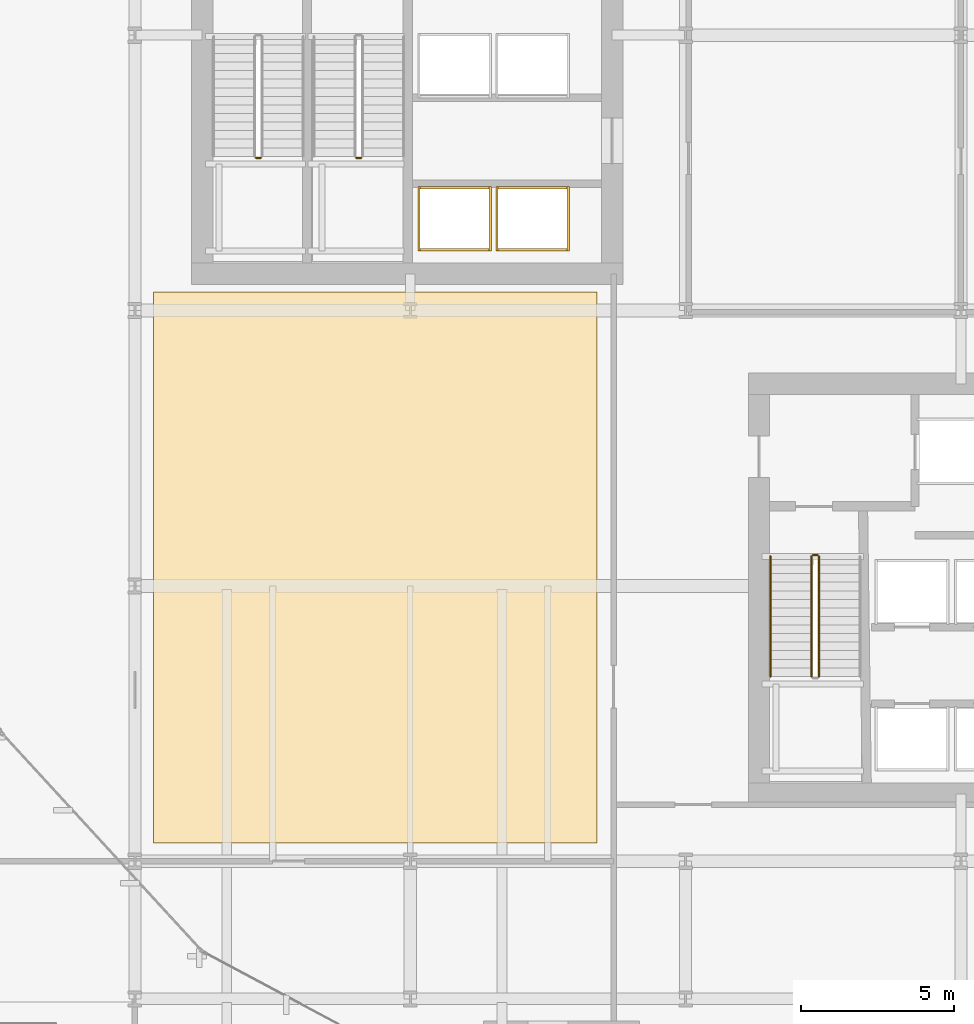
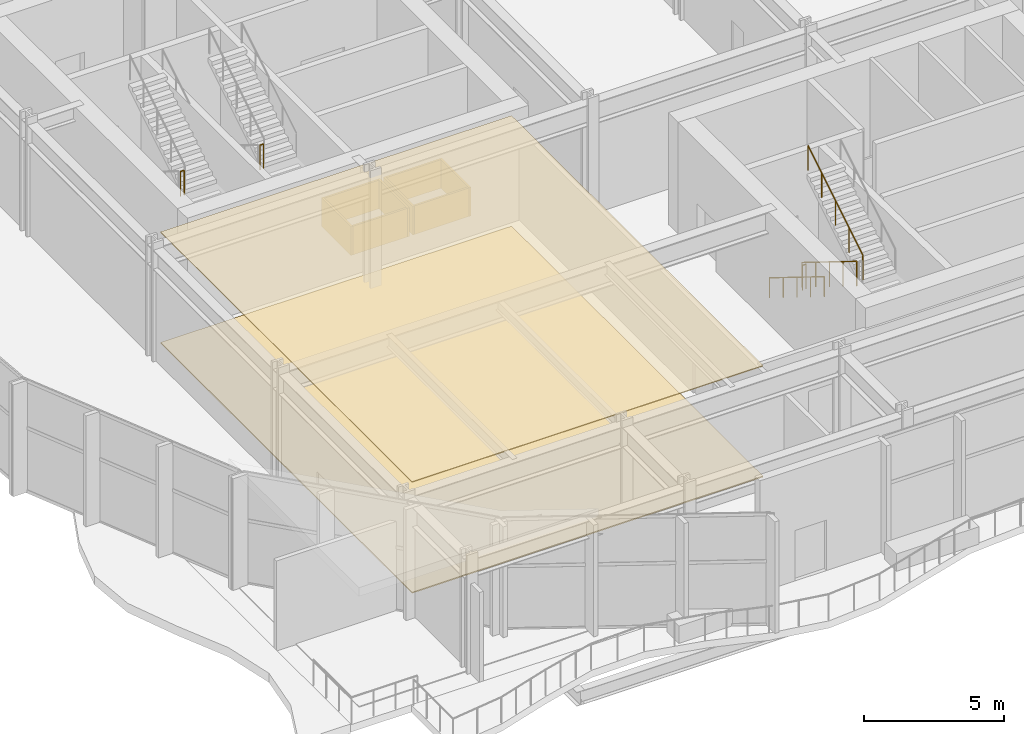
# One storey, part 27 of 31: 10 coverings, 6 railings.
"""IFC4 building model written with IfcOpenShell, lengths in metres."""

from ifc_helpers import new_model, si_unit, direction, frame, origin, origin_2d, place, context, subcontext, project, spatial, polyline, rectangle, circle, outline, extrude, material, layer, layer_set, type_object, element, save


model = new_model("IFC4")

# Units and contexts
model_context = context("Model", 3, precision=1e-05, world=origin(), true_north=direction((0.0, 1.0)))
body_context = subcontext(model_context, "Body", "Model", "MODEL_VIEW")
ifc_project = project(units=[si_unit("LENGTHUNIT", "METRE"), si_unit("AREAUNIT", "SQUARE_METRE"), si_unit("VOLUMEUNIT", "CUBIC_METRE"), si_unit("PLANEANGLEUNIT", "RADIAN"), si_unit("MASSUNIT", "GRAM", prefix="KILO")], contexts=[model_context])

# Site, building, storey
site_placement = place(None, origin())
site = spatial("IfcSite", under=ifc_project, at=site_placement, CompositionType="ELEMENT")
building_placement = place(site_placement, origin())
building = spatial("IfcBuilding", under=site, at=building_placement, Name="Solvaryn Broadcast Tower", CompositionType="ELEMENT")
storey_placement = place(building_placement, frame((0.0, 0.0, 11.0)))
storey = spatial("IfcBuildingStorey", under=building, at=storey_placement, Name="L02", CompositionType="ELEMENT", Elevation=11.0)

# Coverings
ifc_material_1 = material(Name="Studio Acoustic Mineral-Wool Baffle Ceiling", Category="concrete")
ifc_layer_1 = layer(ifc_material_1, 0.06005859375)
ifc_layer_set_1 = layer_set([ifc_layer_1], Name="CV-CEIL-BAFFLE")
covering_type_1 = type_object("IfcCoveringType", Name="CV-CEIL-BAFFLE", PredefinedType="CEILING", material=ifc_layer_set_1)
covering_1_placement = place(storey_placement, frame((0.0, 0.0, 4.840087890625)))
element("IfcCovering", 1, at=covering_1_placement, inside=storey, type_object=covering_type_1, Name="L02 Room Acoustic Ceiling 1", PredefinedType="CEILING", context=body_context, shape_type="SweptSolid", body=[
    extrude(outline(polyline([(9.60009765625, 9.60009765625), (24.10009765625, 9.60009765625), (24.10009765625, 27.60009765625), (9.60009765625, 27.60009765625), (9.60009765625, 9.60009765625)])), origin(), (0.0, 0.0, 1.0), 0.039794921875),
])
ifc_material_2 = material(Name="Isolated Broadcast Studio Floating Acoustic Floor", Category="concrete")
ifc_layer_2 = layer(ifc_material_2, 0.080078125)
ifc_layer_set_2 = layer_set([ifc_layer_2], Name="CV-FLOOR-STUDIO")
covering_type_2 = type_object("IfcCoveringType", Name="CV-FLOOR-STUDIO", PredefinedType="FLOORING", material=ifc_layer_set_2)
covering_2_placement = place(storey_placement, origin())
element("IfcCovering", 2, at=covering_2_placement, inside=storey, type_object=covering_type_2, Name="L02 Room Acoustic Floor Finish 1", PredefinedType="FLOORING", context=body_context, shape_type="SweptSolid", body=[
    extrude(outline(polyline([(9.60009765625, 9.60009765625), (24.10009765625, 9.60009765625), (24.10009765625, 27.60009765625), (9.60009765625, 27.60009765625), (9.60009765625, 9.60009765625)])), origin(), (0.0, 0.0, 1.0), 0.050048828125),
])
ifc_material_3 = material(Name="Fire-Rated Gypsum Shaftwall Liner", Category="concrete")
ifc_layer_3 = layer(ifc_material_3, 0.080078125)
ifc_layer_set_3 = layer_set([ifc_layer_3], Name="CV-SHAFT-LINER")
covering_type_3 = type_object("IfcCoveringType", Name="CV-SHAFT-LINER", PredefinedType="CLADDING", material=ifc_layer_set_3)
for number, where, z_axis, x_axis, name in (
    (3, (19.449951171875, 31.014892578125, 0.0), (0.0, 0.0, 1.0), (1.0, 0.0, 0.0), "L02 PH1 Hoistway Shaft Liner North"),
    (4, (19.449951171875, 28.985107421875, 0.0), (0.0, 0.0, 1.0), (1.0, 0.0, 0.0), "L02 PH1 Hoistway Shaft Liner South"),
):
    element("IfcCovering", number, at=place(storey_placement, frame(where, z_axis=z_axis, x_axis=x_axis)), inside=storey, type_object=covering_type_3, Name=name, PredefinedType="CLADDING", context=body_context, shape_type="SweptSolid", body=[
        extrude(rectangle(XDim=2.409912109375, YDim=0.080078125, at=origin_2d()), origin(), (0.0, 0.0, 1.0), 1.25),
    ])
for number, where, z_axis, x_axis, name in (
    (5, (20.614990234375, 30.0, 0.0), (0.0, 0.0, 1.0), (1.0, 0.0, 0.0), "L02 PH1 Hoistway Shaft Liner East"),
    (6, (18.284912109375, 30.0, 0.0), (0.0, 0.0, 1.0), (1.0, 0.0, 0.0), "L02 PH1 Hoistway Shaft Liner West"),
):
    element("IfcCovering", number, at=place(storey_placement, frame(where, z_axis=z_axis, x_axis=x_axis)), inside=storey, type_object=covering_type_3, Name=name, PredefinedType="CLADDING", context=body_context, shape_type="SweptSolid", body=[
        extrude(rectangle(XDim=0.080078125, YDim=2.110107421875, at=origin_2d()), origin(), (0.0, 0.0, 1.0), 1.25),
    ])
for number, where, z_axis, x_axis, name in (
    (7, (22.0, 31.014892578125, 0.0), (0.0, 0.0, 1.0), (1.0, 0.0, 0.0), "L02 PH2 Hoistway Shaft Liner North"),
    (8, (22.0, 28.985107421875, 0.0), (0.0, 0.0, 1.0), (1.0, 0.0, 0.0), "L02 PH2 Hoistway Shaft Liner South"),
):
    element("IfcCovering", number, at=place(storey_placement, frame(where, z_axis=z_axis, x_axis=x_axis)), inside=storey, type_object=covering_type_3, Name=name, PredefinedType="CLADDING", context=body_context, shape_type="SweptSolid", body=[
        extrude(rectangle(XDim=2.409912109375, YDim=0.080078125, at=origin_2d()), origin(), (0.0, 0.0, 1.0), 1.25),
    ])
for number, where, z_axis, x_axis, name in (
    (9, (23.1650390625, 30.0, 0.0), (0.0, 0.0, 1.0), (1.0, 0.0, 0.0), "L02 PH2 Hoistway Shaft Liner East"),
    (10, (20.8349609375, 30.0, 0.0), (0.0, 0.0, 1.0), (1.0, 0.0, 0.0), "L02 PH2 Hoistway Shaft Liner West"),
):
    element("IfcCovering", number, at=place(storey_placement, frame(where, z_axis=z_axis, x_axis=x_axis)), inside=storey, type_object=covering_type_3, Name=name, PredefinedType="CLADDING", context=body_context, shape_type="SweptSolid", body=[
        extrude(rectangle(XDim=0.080078125, YDim=2.110107421875, at=origin_2d()), origin(), (0.0, 0.0, 1.0), 1.25),
    ])

# Railings
ifc_material_4 = material(Name="Painted Steel Stair Well Guard", Category="steel")
railing_type_1 = type_object("IfcRailingType", Name="RL-STAIR-GUARD", PredefinedType="BALUSTRADE", material=ifc_material_4)
railing_1_placement = place(storey_placement, frame((12.9599609375, 31.989990234375, 2.60009765625)))
element("IfcRailing", 11, at=railing_1_placement, inside=storey, type_object=railing_type_1, Name="L02 ST1 stair guard 2", PredefinedType="BALUSTRADE", context=body_context, shape_type="SweptSolid", body=[
    extrude(circle(Radius=0.02392578125, at=origin_2d()), frame((0.0, 0.0, 1.076171875), z_axis=(1.0, 0.0, 0.0), x_axis=(0.0, 1.0, 0.0)), (0.0, 0.0, 1.0), 0.150146484375),
    extrude(circle(Radius=0.02099609375, at=origin_2d()), origin(), (0.0, 0.0, 1.0), 1.052001953125),
    extrude(circle(Radius=0.02099609375, at=origin_2d()), frame((0.150146484375, 0.0, 0.0)), (0.0, 0.0, 1.0), 1.052001953125),
])
railing_2_placement = place(storey_placement, frame((16.239990234375, 31.989990234375, 2.60009765625)))
element("IfcRailing", 12, at=railing_2_placement, inside=storey, type_object=railing_type_1, Name="L02 ST2 stair guard 2", PredefinedType="BALUSTRADE", context=body_context, shape_type="SweptSolid", body=[
    extrude(circle(Radius=0.02392578125, at=origin_2d()), frame((0.0, 0.0, 1.076171875), z_axis=(1.0, 0.0, 0.0), x_axis=(0.0, 1.0, 0.0)), (0.0, 0.0, 1.0), 0.14990234375),
    extrude(circle(Radius=0.02099609375, at=origin_2d()), origin(), (0.0, 0.0, 1.0), 1.052001953125),
    extrude(circle(Radius=0.02099609375, at=origin_2d()), frame((0.14990234375, 0.0, 0.0)), (0.0, 0.0, 1.0), 1.052001953125),
])
railing_3_placement = place(storey_placement, frame((31.110107421875, 18.9599609375, 0.17333984375)))
element("IfcRailing", 13, at=railing_3_placement, inside=storey, type_object=railing_type_1, Name="L02 ST3 stair guard 1", PredefinedType="BALUSTRADE", context=body_context, shape_type="SweptSolid", body=[
    extrude(circle(Radius=0.02392578125, at=origin_2d()), frame((0.0, 0.0, 1.076171875), z_axis=(0.0, -0.850251603719, 0.526376491091), x_axis=(1.0, 0.0, 0.0)), (0.0, 0.0, 1.0), 4.6103515625),
    extrude(circle(Radius=0.02099609375, at=origin_2d()), origin(), (0.0, 0.0, 1.0), 1.052001953125),
    extrude(circle(Radius=0.02099609375, at=origin_2d()), frame((0.0, -0.97998046875, 0.606689453125)), (0.0, 0.0, 1.0), 1.052001953125),
    extrude(circle(Radius=0.02099609375, at=origin_2d()), frame((0.0, -1.9599609375, 1.21337890625)), (0.0, 0.0, 1.0), 1.052001953125),
    extrude(circle(Radius=0.02099609375, at=origin_2d()), frame((0.0, -2.93994140625, 1.820068359375)), (0.0, 0.0, 1.0), 1.052001953125),
    extrude(circle(Radius=0.02099609375, at=origin_2d()), frame((0.0, -3.919921875, 2.4267578125)), (0.0, 0.0, 1.0), 1.052001953125),
])
railing_4_placement = place(storey_placement, frame((31.360107421875, 15.0400390625, 2.7734375)))
element("IfcRailing", 14, at=railing_4_placement, inside=storey, type_object=railing_type_1, Name="L02 ST3 stair guard 3", PredefinedType="BALUSTRADE", context=body_context, shape_type="SweptSolid", body=[
    extrude(circle(Radius=0.02392578125, at=origin_2d()), frame((0.0, 0.0, 1.076171875), z_axis=(0.0, 0.850275303828, 0.526338206574), x_axis=(-1.0, 0.0, 0.0)), (0.0, 0.0, 1.0), 4.610107421875),
    extrude(circle(Radius=0.02099609375, at=origin_2d()), origin(), (0.0, 0.0, 1.0), 1.052001953125),
    extrude(circle(Radius=0.02099609375, at=origin_2d()), frame((0.0, 0.97998046875, 0.606689453125)), (0.0, 0.0, 1.0), 1.052001953125),
    extrude(circle(Radius=0.02099609375, at=origin_2d()), frame((0.0, 1.9599609375, 1.21337890625)), (0.0, 0.0, 1.0), 1.052001953125),
    extrude(circle(Radius=0.02099609375, at=origin_2d()), frame((0.0, 2.93994140625, 1.81982421875)), (0.0, 0.0, 1.0), 1.052001953125),
    extrude(circle(Radius=0.02099609375, at=origin_2d()), frame((0.0, 3.919921875, 2.426513671875)), (0.0, 0.0, 1.0), 1.052001953125),
])
railing_5_placement = place(storey_placement, frame((31.159912109375, 19.010009765625, 0.0)))
element("IfcRailing", 15, at=railing_5_placement, inside=storey, type_object=railing_type_1, Name="L02 ST3 stair guard 4", PredefinedType="BALUSTRADE", context=body_context, shape_type="SweptSolid", body=[
    extrude(circle(Radius=0.02392578125, at=origin_2d()), frame((0.0, 0.0, 1.076171875), z_axis=(1.0, 0.0, 0.0), x_axis=(0.0, 1.0, 0.0)), (0.0, 0.0, 1.0), 0.150146484375),
    extrude(circle(Radius=0.02099609375, at=origin_2d()), origin(), (0.0, 0.0, 1.0), 1.052001953125),
    extrude(circle(Radius=0.02099609375, at=origin_2d()), frame((0.150146484375, 0.0, 0.0)), (0.0, 0.0, 1.0), 1.052001953125),
])
ifc_material_5 = material(Name="Brushed Stainless Steel Tubular Handrail", Category="steel")
railing_type_2 = type_object("IfcRailingType", Name="RL-STAIR-HANDRAIL", PredefinedType="HANDRAIL", material=ifc_material_5)
railing_6_placement = place(storey_placement, frame((29.77001953125, 18.9599609375, 0.17333984375)))
element("IfcRailing", 16, at=railing_6_placement, inside=storey, type_object=railing_type_2, Name="L02 ST3 stair handrail 1", PredefinedType="HANDRAIL", context=body_context, shape_type="SweptSolid", body=[
    extrude(circle(Radius=0.02392578125, at=origin_2d()), frame((0.0, 0.0, 0.8759765625), z_axis=(0.0, -0.850251603719, 0.526376491091), x_axis=(1.0, 0.0, 0.0)), (0.0, 0.0, 1.0), 4.6103515625),
    extrude(circle(Radius=0.02099609375, at=origin_2d()), origin(), (0.0, 0.0, 1.0), 0.851806640625),
    extrude(circle(Radius=0.02099609375, at=origin_2d()), frame((0.0, -0.97998046875, 0.606689453125)), (0.0, 0.0, 1.0), 0.851806640625),
    extrude(circle(Radius=0.02099609375, at=origin_2d()), frame((0.0, -1.9599609375, 1.21337890625)), (0.0, 0.0, 1.0), 0.851806640625),
    extrude(circle(Radius=0.02099609375, at=origin_2d()), frame((0.0, -2.93994140625, 1.820068359375)), (0.0, 0.0, 1.0), 0.851806640625),
    extrude(circle(Radius=0.02099609375, at=origin_2d()), frame((0.0, -3.919921875, 2.4267578125)), (0.0, 0.0, 1.0), 0.851806640625),
])

save(model, "model.ifc")
